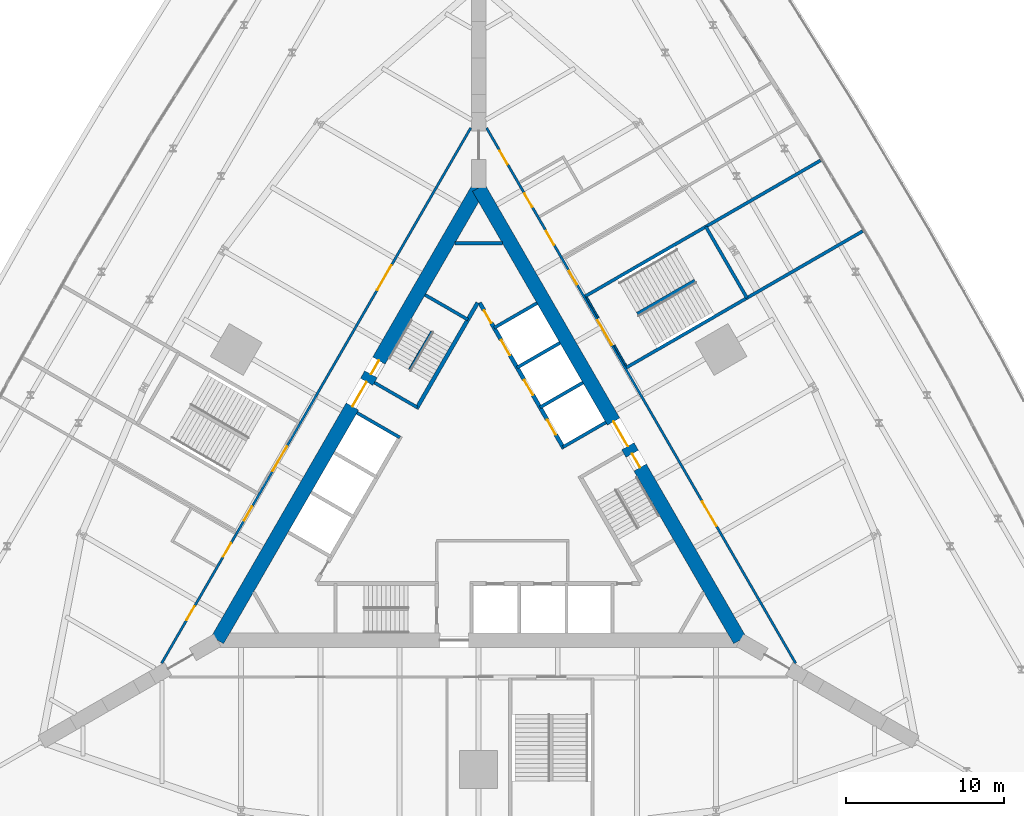
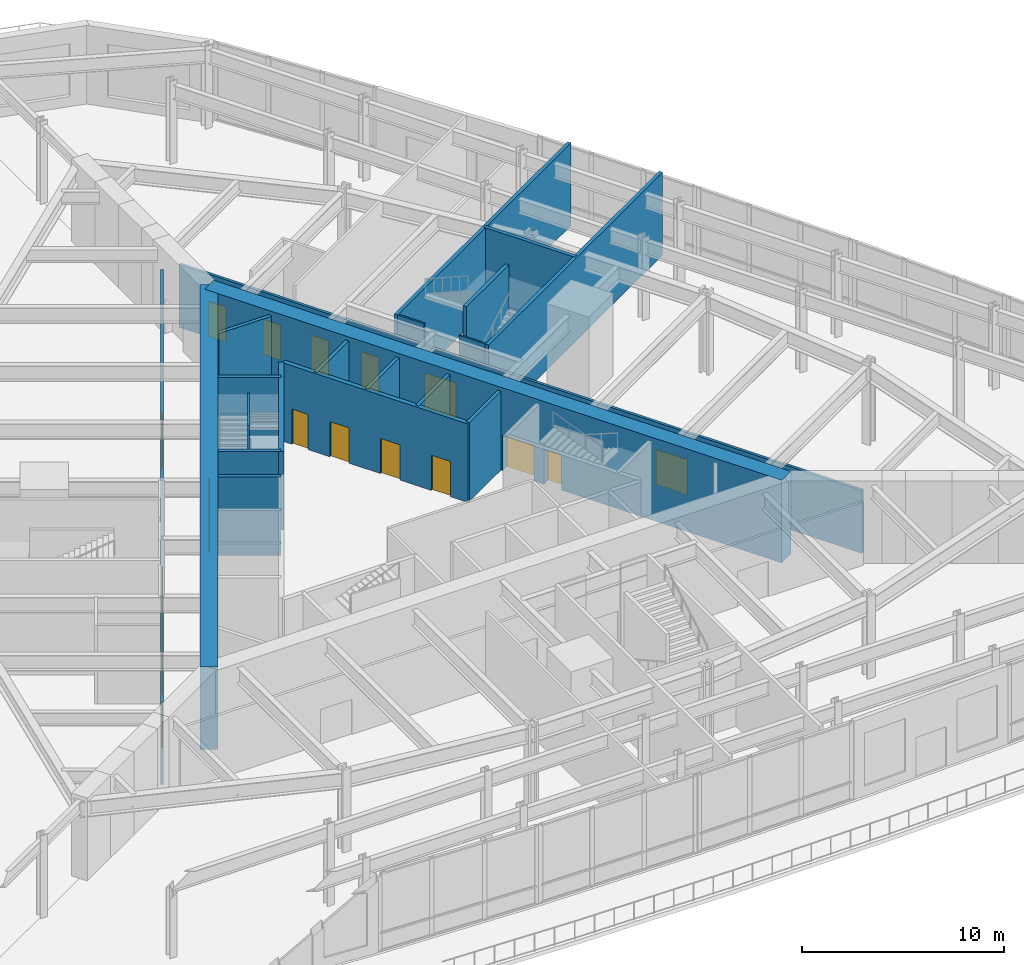
# One storey, part 14 of 20: 21 walls, 19 doors, 19 openings.
"""IFC4 building model written with IfcOpenShell, lengths in metres."""

from ifc_helpers import new_model, si_unit, direction, frame, frame_2d, origin, place, context, subcontext, project, spatial, rectangle, extrude, material, layer, layer_set, type_object, element, fill, save


model = new_model("IFC4")

# Units and contexts
model_context = context("Model", 3, precision=1e-05, world=origin(), true_north=direction((0.0, 1.0)))
body_context = subcontext(model_context, "Body", "Model", "MODEL_VIEW")
ifc_project = project(units=[si_unit("LENGTHUNIT", "METRE"), si_unit("AREAUNIT", "SQUARE_METRE"), si_unit("VOLUMEUNIT", "CUBIC_METRE"), si_unit("PLANEANGLEUNIT", "RADIAN"), si_unit("MASSUNIT", "GRAM", prefix="KILO")], contexts=[model_context])

# Site, building, storey
site_placement = place(None, origin())
site = spatial("IfcSite", under=ifc_project, at=site_placement, CompositionType="ELEMENT")
building_placement = place(site_placement, origin())
building = spatial("IfcBuilding", under=site, at=building_placement, Name="Trikona Tower", CompositionType="ELEMENT")
storey_placement = place(building_placement, frame((0.0, 0.0, 6.0)))
storey = spatial("IfcBuildingStorey", under=building, at=storey_placement, Name="L01", CompositionType="ELEMENT", Elevation=6.0)

# Wall, openings, doors
ifc_material_1 = material(Name="Concrete f'c 10000 psi", Category="concrete")
ifc_layer_1 = layer(ifc_material_1, 0.89990234375)
ifc_layer_set_1 = layer_set([ifc_layer_1], Name="Core wall 900")
wall_type_1 = type_object("IfcWallType", Name="Core wall 900", PredefinedType="SHEAR", material=ifc_layer_set_1)
wall_1_placement = place(storey_placement, frame((16.5, -9.5263671875, 0.0), z_axis=(0.0, 0.0, 1.0), x_axis=(-0.499999749417, 0.866025548458, 0.0)))
wall_1 = element("IfcWall", 1, at=wall_1_placement, inside=storey, type_object=wall_type_1, Name="Core wall B", PredefinedType="SHEAR", context=body_context, shape_type="SweptSolid", body=[
    extrude(rectangle(XDim=33.0, YDim=0.89990234375, at=frame_2d((16.5, 0.0))), origin(), (0.0, 0.0, 1.0), 5.0),
])
opening_1_placement = place(wall_1_placement, frame((14.14990234375, 0.0, 0.0)))
opening_1 = element("IfcOpeningElement", 2, at=opening_1_placement, cuts=wall_1, Name="Opening D6", PredefinedType="OPENING", context=body_context, shape_type="SweptSolid", body=[
    extrude(rectangle(XDim=1.800048828125, YDim=2.1298828125, at=frame_2d((0.89990234375, 1.06494140625))), frame((0.0, 0.4599609375, 0.0), z_axis=(0.0, -1.0, 0.0), x_axis=(1.0, 0.0, 0.0)), (0.0, 0.0, 1.0), 0.919921875),
])
opening_2_placement = place(wall_1_placement, frame((12.60009765625, 0.0, 0.0)))
opening_2 = element("IfcOpeningElement", 3, at=opening_2_placement, cuts=wall_1, Name="Opening D5", PredefinedType="OPENING", context=body_context, shape_type="SweptSolid", body=[
    extrude(rectangle(XDim=1.0, YDim=2.1298828125, at=frame_2d((0.5, 1.06494140625))), frame((0.0, 0.4599609375, 0.0), z_axis=(0.0, -1.0, 0.0), x_axis=(1.0, 0.0, 0.0)), (0.0, 0.0, 1.0), 0.919921875),
])
ifc_material_2 = material(Name="Hollow metal door and frame", Category="steel")
door_type_1 = type_object("IfcDoorType", Name="Lobby door pair 1800x2130", OperationType="DOUBLE_DOOR_SINGLE_SWING", PredefinedType="DOOR", material=ifc_material_2)
door_1_placement = place(opening_1_placement, origin())
door_1 = element("IfcDoor", 4, at=door_1_placement, inside=storey, type_object=door_type_1, Name="Lift lobby door B", OperationType="DOUBLE_DOOR_SINGLE_SWING", OverallHeight=2.1298828125, OverallWidth=1.800048828125, PredefinedType="DOOR", context=body_context, shape_type="SweptSolid", body=[
    extrude(rectangle(XDim=1.800048828125, YDim=2.1298828125, at=frame_2d((0.89990234375, 1.06494140625))), frame((0.0, 0.02490234375, 0.0), z_axis=(0.0, -1.0, 0.0), x_axis=(1.0, 0.0, 0.0)), (0.0, 0.0, 1.0), 0.050048828125),
])
fill(opening_1, door_1)
ifc_material_3 = material(Name="Hollow metal door and frame", Category="steel")
door_type_2 = type_object("IfcDoorType", Name="Stair door 1000x2130", OperationType="SINGLE_SWING_LEFT", PredefinedType="DOOR", material=ifc_material_3)
door_2_placement = place(opening_2_placement, origin())
door_2 = element("IfcDoor", 5, at=door_2_placement, inside=storey, type_object=door_type_2, Name="Stair B door", OperationType="SINGLE_SWING_RIGHT", OverallHeight=2.1298828125, OverallWidth=1.0, PredefinedType="DOOR", context=body_context, shape_type="SweptSolid", body=[
    extrude(rectangle(XDim=1.0, YDim=2.1298828125, at=frame_2d((0.5, 1.06494140625))), frame((0.0, 0.02490234375, 0.0), z_axis=(0.0, -1.0, 0.0), x_axis=(1.0, 0.0, 0.0)), (0.0, 0.0, 1.0), 0.050048828125),
])
fill(opening_2, door_2)

wall_2_placement = place(storey_placement, frame((0.0, 19.052490234375, 0.0), z_axis=(0.0, 0.0, 1.0), x_axis=(-0.499999749417, -0.866025548458, 0.0)))
wall_2 = element("IfcWall", 6, at=wall_2_placement, inside=storey, type_object=wall_type_1, Name="Core wall C", PredefinedType="SHEAR", context=body_context, shape_type="SweptSolid", body=[
    extrude(rectangle(XDim=33.0, YDim=0.89990234375, at=frame_2d((16.5, 0.0))), origin(), (0.0, 0.0, 1.0), 5.0),
])
opening_3_placement = place(wall_2_placement, frame((14.14990234375, 0.0, 0.0)))
opening_3 = element("IfcOpeningElement", 7, at=opening_3_placement, cuts=wall_2, Name="Opening D6", PredefinedType="OPENING", context=body_context, shape_type="SweptSolid", body=[
    extrude(rectangle(XDim=1.800048828125, YDim=2.1298828125, at=frame_2d((0.89990234375, 1.06494140625))), frame((0.0, 0.4599609375, 0.0), z_axis=(0.0, -1.0, 0.0), x_axis=(1.0, 0.0, 0.0)), (0.0, 0.0, 1.0), 0.919921875),
])
opening_4_placement = place(wall_2_placement, frame((12.60009765625, 0.0, 0.0)))
opening_4 = element("IfcOpeningElement", 8, at=opening_4_placement, cuts=wall_2, Name="Opening D5", PredefinedType="OPENING", context=body_context, shape_type="SweptSolid", body=[
    extrude(rectangle(XDim=1.0, YDim=2.1298828125, at=frame_2d((0.5, 1.06494140625))), frame((0.0, 0.4599609375, 0.0), z_axis=(0.0, -1.0, 0.0), x_axis=(1.0, 0.0, 0.0)), (0.0, 0.0, 1.0), 0.919921875),
])
door_3_placement = place(opening_3_placement, origin())
door_3 = element("IfcDoor", 9, at=door_3_placement, inside=storey, type_object=door_type_1, Name="Lift lobby door C", OperationType="DOUBLE_DOOR_SINGLE_SWING", OverallHeight=2.1298828125, OverallWidth=1.800048828125, PredefinedType="DOOR", context=body_context, shape_type="SweptSolid", body=[
    extrude(rectangle(XDim=1.800048828125, YDim=2.1298828125, at=frame_2d((0.89990234375, 1.06494140625))), frame((0.0, 0.02490234375, 0.0), z_axis=(0.0, -1.0, 0.0), x_axis=(1.0, 0.0, 0.0)), (0.0, 0.0, 1.0), 0.050048828125),
])
fill(opening_3, door_3)
door_4_placement = place(opening_4_placement, origin())
door_4 = element("IfcDoor", 10, at=door_4_placement, inside=storey, type_object=door_type_2, Name="Stair C door", OperationType="SINGLE_SWING_RIGHT", OverallHeight=2.1298828125, OverallWidth=1.0, PredefinedType="DOOR", context=body_context, shape_type="SweptSolid", body=[
    extrude(rectangle(XDim=1.0, YDim=2.1298828125, at=frame_2d((0.5, 1.06494140625))), frame((0.0, 0.02490234375, 0.0), z_axis=(0.0, -1.0, 0.0), x_axis=(1.0, 0.0, 0.0)), (0.0, 0.0, 1.0), 0.050048828125),
])
fill(opening_4, door_4)

ifc_material_4 = material(Name="Metal stud and gypsum board, 1-hour", Category="gypsum")
ifc_layer_2 = layer(ifc_material_4, 0.14990234375)
ifc_layer_set_2 = layer_set([ifc_layer_2], Name="Corridor wall 150")
wall_type_2 = type_object("IfcWallType", Name="Corridor wall 150", PredefinedType="PARTITIONING", material=ifc_layer_set_2)
wall_3_placement = place(storey_placement, frame((20.027099609375, -10.9853515625, 0.0), z_axis=(0.0, 0.0, 1.0), x_axis=(-0.500001677587, 0.866024435227, 0.0)))
wall_3 = element("IfcWall", 11, at=wall_3_placement, inside=storey, type_object=wall_type_2, Name="Corridor wall L01-2", PredefinedType="PARTITIONING", context=body_context, shape_type="SweptSolid", body=[
    extrude(rectangle(XDim=39.053955078125, YDim=0.14990234375, at=frame_2d((19.52685546875, 0.0))), origin(), (0.0, 0.0, 1.0), 3.8076171875),
])
opening_5_placement = place(wall_3_placement, frame((10.013427734375, 0.0, 0.0)))
opening_5 = element("IfcOpeningElement", 12, at=opening_5_placement, cuts=wall_3, Name="Opening D4", PredefinedType="OPENING", context=body_context, shape_type="SweptSolid", body=[
    extrude(rectangle(XDim=1.800048828125, YDim=2.1298828125, at=frame_2d((0.89990234375, 1.06494140625))), frame((0.0, 0.0849609375, 0.0), z_axis=(0.0, -1.0, 0.0), x_axis=(1.0, 0.0, 0.0)), (0.0, 0.0, 1.0), 0.169921875),
])
opening_6_placement = place(wall_3_placement, frame((23.22705078125, 0.0, 0.0)))
opening_6 = element("IfcOpeningElement", 13, at=opening_6_placement, cuts=wall_3, Name="Opening D11", PredefinedType="OPENING", context=body_context, shape_type="SweptSolid", body=[
    extrude(rectangle(XDim=1.800048828125, YDim=2.1298828125, at=frame_2d((0.89990234375, 1.06494140625))), frame((0.0, 0.0849609375, 0.0), z_axis=(0.0, -1.0, 0.0), x_axis=(1.0, 0.0, 0.0)), (0.0, 0.0, 1.0), 0.169921875),
])
opening_7_placement = place(wall_3_placement, frame((27.626953125, 0.0, 0.0)))
opening_7 = element("IfcOpeningElement", 14, at=opening_7_placement, cuts=wall_3, Name="Opening D3", PredefinedType="OPENING", context=body_context, shape_type="SweptSolid", body=[
    extrude(rectangle(XDim=1.0, YDim=2.1298828125, at=frame_2d((0.5, 1.06494140625))), frame((0.0, 0.0849609375, 0.0), z_axis=(0.0, -1.0, 0.0), x_axis=(1.0, 0.0, 0.0)), (0.0, 0.0, 1.0), 0.169921875),
])
opening_8_placement = place(wall_3_placement, frame((30.527099609375, 0.0, 0.0)))
opening_8 = element("IfcOpeningElement", 15, at=opening_8_placement, cuts=wall_3, Name="Opening D3", PredefinedType="OPENING", context=body_context, shape_type="SweptSolid", body=[
    extrude(rectangle(XDim=1.0, YDim=2.1298828125, at=frame_2d((0.5, 1.06494140625))), frame((0.0, 0.0849609375, 0.0), z_axis=(0.0, -1.0, 0.0), x_axis=(1.0, 0.0, 0.0)), (0.0, 0.0, 1.0), 0.169921875),
])
opening_9_placement = place(wall_3_placement, frame((33.277099609375, 0.0, 0.0)))
opening_9 = element("IfcOpeningElement", 16, at=opening_9_placement, cuts=wall_3, Name="Opening D3", PredefinedType="OPENING", context=body_context, shape_type="SweptSolid", body=[
    extrude(rectangle(XDim=1.0, YDim=2.1298828125, at=frame_2d((0.5, 1.06494140625))), frame((0.0, 0.0849609375, 0.0), z_axis=(0.0, -1.0, 0.0), x_axis=(1.0, 0.0, 0.0)), (0.0, 0.0, 1.0), 0.169921875),
])
opening_10_placement = place(wall_3_placement, frame((36.390380859375, 0.0, 0.0)))
opening_10 = element("IfcOpeningElement", 17, at=opening_10_placement, cuts=wall_3, Name="Opening D3", PredefinedType="OPENING", context=body_context, shape_type="SweptSolid", body=[
    extrude(rectangle(XDim=1.0, YDim=2.1298828125, at=frame_2d((0.5, 1.06494140625))), frame((0.0, 0.0849609375, 0.0), z_axis=(0.0, -1.0, 0.0), x_axis=(1.0, 0.0, 0.0)), (0.0, 0.0, 1.0), 0.169921875),
])
ifc_material_5 = material(Name="Steel door frame with solid-core timber leaf", Category="steel")
door_type_3 = type_object("IfcDoorType", Name="Assembly door pair 1800x2130", OperationType="DOUBLE_DOOR_SINGLE_SWING", PredefinedType="DOOR", material=ifc_material_5)
door_5_placement = place(opening_5_placement, origin())
door_5 = element("IfcDoor", 18, at=door_5_placement, inside=storey, type_object=door_type_3, Name="Door Restaurant kitchen", OperationType="DOUBLE_DOOR_SINGLE_SWING", OverallHeight=2.1298828125, OverallWidth=1.800048828125, PredefinedType="DOOR", context=body_context, shape_type="SweptSolid", body=[
    extrude(rectangle(XDim=1.800048828125, YDim=2.1298828125, at=frame_2d((0.89990234375, 1.06494140625))), frame((0.0, 0.02490234375, 0.0), z_axis=(0.0, -1.0, 0.0), x_axis=(1.0, 0.0, 0.0)), (0.0, 0.0, 1.0), 0.050048828125),
])
fill(opening_5, door_5)
ifc_material_6 = material(Name="Hollow metal door and frame", Category="steel")
door_type_4 = type_object("IfcDoorType", Name="Podium stair door 1800x2130", OperationType="DOUBLE_DOOR_SINGLE_SWING", PredefinedType="DOOR", material=ifc_material_6)
door_6_placement = place(opening_6_placement, origin())
door_6 = element("IfcDoor", 19, at=door_6_placement, inside=storey, type_object=door_type_4, Name="Stair door Podium stair PS2", OperationType="DOUBLE_DOOR_SINGLE_SWING", OverallHeight=2.1298828125, OverallWidth=1.800048828125, PredefinedType="DOOR", context=body_context, shape_type="SweptSolid", body=[
    extrude(rectangle(XDim=1.800048828125, YDim=2.1298828125, at=frame_2d((0.89990234375, 1.06494140625))), frame((0.0, 0.02490234375, 0.0), z_axis=(0.0, -1.0, 0.0), x_axis=(1.0, 0.0, 0.0)), (0.0, 0.0, 1.0), 0.050048828125),
])
fill(opening_6, door_6)
ifc_material_7 = material(Name="Steel door frame with solid-core timber leaf", Category="steel")
door_type_5 = type_object("IfcDoorType", Name="Room door 1000x2130", OperationType="SINGLE_SWING_LEFT", PredefinedType="DOOR", material=ifc_material_7)
door_7_placement = place(opening_7_placement, origin())
door_7 = element("IfcDoor", 20, at=door_7_placement, inside=storey, type_object=door_type_5, Name="Door Men's toilets", OperationType="SINGLE_SWING_LEFT", OverallHeight=2.1298828125, OverallWidth=1.0, PredefinedType="DOOR", context=body_context, shape_type="SweptSolid", body=[
    extrude(rectangle(XDim=1.0, YDim=2.1298828125, at=frame_2d((0.5, 1.06494140625))), frame((0.0, 0.02490234375, 0.0), z_axis=(0.0, -1.0, 0.0), x_axis=(1.0, 0.0, 0.0)), (0.0, 0.0, 1.0), 0.050048828125),
])
fill(opening_7, door_7)
door_8_placement = place(opening_8_placement, origin())
door_8 = element("IfcDoor", 21, at=door_8_placement, inside=storey, type_object=door_type_5, Name="Door Women's toilets", OperationType="SINGLE_SWING_RIGHT", OverallHeight=2.1298828125, OverallWidth=1.0, PredefinedType="DOOR", context=body_context, shape_type="SweptSolid", body=[
    extrude(rectangle(XDim=1.0, YDim=2.1298828125, at=frame_2d((0.5, 1.06494140625))), frame((0.0, 0.02490234375, 0.0), z_axis=(0.0, -1.0, 0.0), x_axis=(1.0, 0.0, 0.0)), (0.0, 0.0, 1.0), 0.050048828125),
])
fill(opening_8, door_8)
door_9_placement = place(opening_9_placement, origin())
door_9 = element("IfcDoor", 22, at=door_9_placement, inside=storey, type_object=door_type_5, Name="Door Accessible WC", OperationType="SINGLE_SWING_LEFT", OverallHeight=2.1298828125, OverallWidth=1.0, PredefinedType="DOOR", context=body_context, shape_type="SweptSolid", body=[
    extrude(rectangle(XDim=1.0, YDim=2.1298828125, at=frame_2d((0.5, 1.06494140625))), frame((0.0, 0.02490234375, 0.0), z_axis=(0.0, -1.0, 0.0), x_axis=(1.0, 0.0, 0.0)), (0.0, 0.0, 1.0), 0.050048828125),
])
fill(opening_9, door_9)
door_10_placement = place(opening_10_placement, origin())
door_10 = element("IfcDoor", 23, at=door_10_placement, inside=storey, type_object=door_type_5, Name="Door Private dining room", OperationType="SINGLE_SWING_RIGHT", OverallHeight=2.1298828125, OverallWidth=1.0, PredefinedType="DOOR", context=body_context, shape_type="SweptSolid", body=[
    extrude(rectangle(XDim=1.0, YDim=2.1298828125, at=frame_2d((0.5, 1.06494140625))), frame((0.0, 0.02490234375, 0.0), z_axis=(0.0, -1.0, 0.0), x_axis=(1.0, 0.0, 0.0)), (0.0, 0.0, 1.0), 0.050048828125),
])
fill(opening_10, door_10)

wall_4_placement = place(storey_placement, frame((-0.5, 22.83642578125, 0.0), z_axis=(0.0, 0.0, 1.0), x_axis=(-0.500001677587, -0.866024435227, 0.0)))
wall_4 = element("IfcWall", 24, at=wall_4_placement, inside=storey, type_object=wall_type_2, Name="Corridor wall L01-3", PredefinedType="PARTITIONING", context=body_context, shape_type="SweptSolid", body=[
    extrude(rectangle(XDim=39.053955078125, YDim=0.14990234375, at=frame_2d((19.52685546875, 0.0))), origin(), (0.0, 0.0, 1.0), 3.8076171875),
])
opening_11_placement = place(wall_4_placement, frame((10.013427734375, 0.0, 0.0)))
opening_11 = element("IfcOpeningElement", 25, at=opening_11_placement, cuts=wall_4, Name="Opening D4", PredefinedType="OPENING", context=body_context, shape_type="SweptSolid", body=[
    extrude(rectangle(XDim=1.800048828125, YDim=2.1298828125, at=frame_2d((0.89990234375, 1.06494140625))), frame((0.0, 0.0849609375, 0.0), z_axis=(0.0, -1.0, 0.0), x_axis=(1.0, 0.0, 0.0)), (0.0, 0.0, 1.0), 0.169921875),
])
opening_12_placement = place(wall_4_placement, frame((23.22705078125, 0.0, 0.0)))
opening_12 = element("IfcOpeningElement", 26, at=opening_12_placement, cuts=wall_4, Name="Opening D11", PredefinedType="OPENING", context=body_context, shape_type="SweptSolid", body=[
    extrude(rectangle(XDim=1.800048828125, YDim=2.1298828125, at=frame_2d((0.89990234375, 1.06494140625))), frame((0.0, 0.0849609375, 0.0), z_axis=(0.0, -1.0, 0.0), x_axis=(1.0, 0.0, 0.0)), (0.0, 0.0, 1.0), 0.169921875),
])
opening_13_placement = place(wall_4_placement, frame((27.626953125, 0.0, 0.0)))
opening_13 = element("IfcOpeningElement", 27, at=opening_13_placement, cuts=wall_4, Name="Opening D3", PredefinedType="OPENING", context=body_context, shape_type="SweptSolid", body=[
    extrude(rectangle(XDim=1.0, YDim=2.1298828125, at=frame_2d((0.5, 1.06494140625))), frame((0.0, 0.0849609375, 0.0), z_axis=(0.0, -1.0, 0.0), x_axis=(1.0, 0.0, 0.0)), (0.0, 0.0, 1.0), 0.169921875),
])
opening_14_placement = place(wall_4_placement, frame((30.277099609375, 0.0, 0.0)))
opening_14 = element("IfcOpeningElement", 28, at=opening_14_placement, cuts=wall_4, Name="Opening D3", PredefinedType="OPENING", context=body_context, shape_type="SweptSolid", body=[
    extrude(rectangle(XDim=1.0, YDim=2.1298828125, at=frame_2d((0.5, 1.06494140625))), frame((0.0, 0.0849609375, 0.0), z_axis=(0.0, -1.0, 0.0), x_axis=(1.0, 0.0, 0.0)), (0.0, 0.0, 1.0), 0.169921875),
])
opening_15_placement = place(wall_4_placement, frame((34.890380859375, 0.0, 0.0)))
opening_15 = element("IfcOpeningElement", 29, at=opening_15_placement, cuts=wall_4, Name="Opening D3", PredefinedType="OPENING", context=body_context, shape_type="SweptSolid", body=[
    extrude(rectangle(XDim=1.0, YDim=2.1298828125, at=frame_2d((0.5, 1.06494140625))), frame((0.0, 0.0849609375, 0.0), z_axis=(0.0, -1.0, 0.0), x_axis=(1.0, 0.0, 0.0)), (0.0, 0.0, 1.0), 0.169921875),
])
door_11_placement = place(opening_11_placement, origin())
door_11 = element("IfcDoor", 30, at=door_11_placement, inside=storey, type_object=door_type_3, Name="Door Back of house", OperationType="DOUBLE_DOOR_SINGLE_SWING", OverallHeight=2.1298828125, OverallWidth=1.800048828125, PredefinedType="DOOR", context=body_context, shape_type="SweptSolid", body=[
    extrude(rectangle(XDim=1.800048828125, YDim=2.1298828125, at=frame_2d((0.89990234375, 1.06494140625))), frame((0.0, 0.02490234375, 0.0), z_axis=(0.0, -1.0, 0.0), x_axis=(1.0, 0.0, 0.0)), (0.0, 0.0, 1.0), 0.050048828125),
])
fill(opening_11, door_11)
door_12_placement = place(opening_12_placement, origin())
door_12 = element("IfcDoor", 31, at=door_12_placement, inside=storey, type_object=door_type_4, Name="Stair door Podium stair PS3", OperationType="DOUBLE_DOOR_SINGLE_SWING", OverallHeight=2.1298828125, OverallWidth=1.800048828125, PredefinedType="DOOR", context=body_context, shape_type="SweptSolid", body=[
    extrude(rectangle(XDim=1.800048828125, YDim=2.1298828125, at=frame_2d((0.89990234375, 1.06494140625))), frame((0.0, 0.02490234375, 0.0), z_axis=(0.0, -1.0, 0.0), x_axis=(1.0, 0.0, 0.0)), (0.0, 0.0, 1.0), 0.050048828125),
])
fill(opening_12, door_12)
door_13_placement = place(opening_13_placement, origin())
door_13 = element("IfcDoor", 32, at=door_13_placement, inside=storey, type_object=door_type_5, Name="Door Staff toilets", OperationType="SINGLE_SWING_LEFT", OverallHeight=2.1298828125, OverallWidth=1.0, PredefinedType="DOOR", context=body_context, shape_type="SweptSolid", body=[
    extrude(rectangle(XDim=1.0, YDim=2.1298828125, at=frame_2d((0.5, 1.06494140625))), frame((0.0, 0.02490234375, 0.0), z_axis=(0.0, -1.0, 0.0), x_axis=(1.0, 0.0, 0.0)), (0.0, 0.0, 1.0), 0.050048828125),
])
fill(opening_13, door_13)
door_14_placement = place(opening_14_placement, origin())
door_14 = element("IfcDoor", 33, at=door_14_placement, inside=storey, type_object=door_type_5, Name="Door Staff accessible WC", OperationType="SINGLE_SWING_RIGHT", OverallHeight=2.1298828125, OverallWidth=1.0, PredefinedType="DOOR", context=body_context, shape_type="SweptSolid", body=[
    extrude(rectangle(XDim=1.0, YDim=2.1298828125, at=frame_2d((0.5, 1.06494140625))), frame((0.0, 0.02490234375, 0.0), z_axis=(0.0, -1.0, 0.0), x_axis=(1.0, 0.0, 0.0)), (0.0, 0.0, 1.0), 0.050048828125),
])
fill(opening_14, door_14)
door_15_placement = place(opening_15_placement, origin())
door_15 = element("IfcDoor", 34, at=door_15_placement, inside=storey, type_object=door_type_5, Name="Door Linen store", OperationType="SINGLE_SWING_RIGHT", OverallHeight=2.1298828125, OverallWidth=1.0, PredefinedType="DOOR", context=body_context, shape_type="SweptSolid", body=[
    extrude(rectangle(XDim=1.0, YDim=2.1298828125, at=frame_2d((0.5, 1.06494140625))), frame((0.0, 0.02490234375, 0.0), z_axis=(0.0, -1.0, 0.0), x_axis=(1.0, 0.0, 0.0)), (0.0, 0.0, 1.0), 0.050048828125),
])
fill(opening_15, door_15)

ifc_material_8 = material(Name="Concrete f'c 8000 psi", Category="concrete")
ifc_layer_3 = layer(ifc_material_8, 0.25)
ifc_layer_set_3 = layer_set([ifc_layer_3], Name="Hub wall 250")
wall_type_3 = type_object("IfcWallType", Name="Hub wall 250", PredefinedType="SOLIDWALL", material=ifc_layer_set_3)
wall_5_placement = place(storey_placement, frame((5.37890625, 2.5859375, 0.0), z_axis=(0.0, 0.0, 1.0), x_axis=(-0.500001375892, 0.866024609411, 0.0)))
wall_5 = element("IfcWall", 35, at=wall_5_placement, inside=storey, type_object=wall_type_3, Name="Lift lobby wall B2", PredefinedType="SOLIDWALL", context=body_context, shape_type="SweptSolid", body=[
    extrude(rectangle(XDim=10.6328125, YDim=0.25, at=frame_2d((5.31640625, 0.0))), origin(), (0.0, 0.0, 1.0), 4.75),
])
opening_16_placement = place(wall_5_placement, frame((9.1640625, 0.0, 0.0)))
opening_16 = element("IfcOpeningElement", 36, at=opening_16_placement, cuts=wall_5, Name="Opening D14", PredefinedType="OPENING", context=body_context, shape_type="SweptSolid", body=[
    extrude(rectangle(XDim=0.89990234375, YDim=2.1298828125, at=frame_2d((0.449951171875, 1.06494140625))), frame((0.0, 0.135009765625, 0.0), z_axis=(0.0, -1.0, 0.0), x_axis=(1.0, 0.0, 0.0)), (0.0, 0.0, 1.0), 0.27001953125),
])
opening_17_placement = place(wall_5_placement, frame((1.0, 0.0, 0.0)))
opening_17 = element("IfcOpeningElement", 37, at=opening_17_placement, cuts=wall_5, Name="Opening LD", PredefinedType="OPENING", context=body_context, shape_type="SweptSolid", body=[
    extrude(rectangle(XDim=1.10009765625, YDim=2.1298828125, at=frame_2d((0.550048828125, 1.06494140625))), frame((0.0, 0.135009765625, 0.0), z_axis=(0.0, -1.0, 0.0), x_axis=(1.0, 0.0, 0.0)), (0.0, 0.0, 1.0), 0.27001953125),
])
opening_18_placement = place(wall_5_placement, frame((3.89990234375, 0.0, 0.0)))
opening_18 = element("IfcOpeningElement", 38, at=opening_18_placement, cuts=wall_5, Name="Opening LD", PredefinedType="OPENING", context=body_context, shape_type="SweptSolid", body=[
    extrude(rectangle(XDim=1.10009765625, YDim=2.1298828125, at=frame_2d((0.550048828125, 1.06494140625))), frame((0.0, 0.135009765625, 0.0), z_axis=(0.0, -1.0, 0.0), x_axis=(1.0, 0.0, 0.0)), (0.0, 0.0, 1.0), 0.27001953125),
])
opening_19_placement = place(wall_5_placement, frame((6.800048828125, 0.0, 0.0)))
opening_19 = element("IfcOpeningElement", 39, at=opening_19_placement, cuts=wall_5, Name="Opening LD", PredefinedType="OPENING", context=body_context, shape_type="SweptSolid", body=[
    extrude(rectangle(XDim=1.10009765625, YDim=2.1298828125, at=frame_2d((0.550048828125, 1.06494140625))), frame((0.0, 0.135009765625, 0.0), z_axis=(0.0, -1.0, 0.0), x_axis=(1.0, 0.0, 0.0)), (0.0, 0.0, 1.0), 0.27001953125),
])
ifc_material_9 = material(Name="Stainless steel lift landing door", Category="steel")
door_type_6 = type_object("IfcDoorType", Name="Lift landing door 1100x2130", OperationType="DOUBLE_DOOR_SLIDING", PredefinedType="USERDEFINED", material=ifc_material_9)
door_16_placement = place(opening_17_placement, origin())
door_16 = element("IfcDoor", 40, at=door_16_placement, inside=storey, type_object=door_type_6, Name="Lift landing door L1-1", ObjectType="LIFT LANDING DOOR", OperationType="DOUBLE_DOOR_SLIDING", OverallHeight=2.1298828125, OverallWidth=1.10009765625, PredefinedType="USERDEFINED", context=body_context, shape_type="SweptSolid", body=[
    extrude(rectangle(XDim=1.10009765625, YDim=2.1298828125, at=frame_2d((0.550048828125, 1.06494140625))), frame((0.0, 0.02490234375, 0.0), z_axis=(0.0, -1.0, 0.0), x_axis=(1.0, 0.0, 0.0)), (0.0, 0.0, 1.0), 0.050048828125),
])
fill(opening_17, door_16)
door_17_placement = place(opening_18_placement, origin())
door_17 = element("IfcDoor", 41, at=door_17_placement, inside=storey, type_object=door_type_6, Name="Lift landing door L1-2", ObjectType="LIFT LANDING DOOR", OperationType="DOUBLE_DOOR_SLIDING", OverallHeight=2.1298828125, OverallWidth=1.10009765625, PredefinedType="USERDEFINED", context=body_context, shape_type="SweptSolid", body=[
    extrude(rectangle(XDim=1.10009765625, YDim=2.1298828125, at=frame_2d((0.550048828125, 1.06494140625))), frame((0.0, 0.02490234375, 0.0), z_axis=(0.0, -1.0, 0.0), x_axis=(1.0, 0.0, 0.0)), (0.0, 0.0, 1.0), 0.050048828125),
])
fill(opening_18, door_17)
door_18_placement = place(opening_19_placement, origin())
door_18 = element("IfcDoor", 42, at=door_18_placement, inside=storey, type_object=door_type_6, Name="Lift landing door L1-3", ObjectType="LIFT LANDING DOOR", OperationType="DOUBLE_DOOR_SLIDING", OverallHeight=2.1298828125, OverallWidth=1.10009765625, PredefinedType="USERDEFINED", context=body_context, shape_type="SweptSolid", body=[
    extrude(rectangle(XDim=1.10009765625, YDim=2.1298828125, at=frame_2d((0.550048828125, 1.06494140625))), frame((0.0, 0.02490234375, 0.0), z_axis=(0.0, -1.0, 0.0), x_axis=(1.0, 0.0, 0.0)), (0.0, 0.0, 1.0), 0.050048828125),
])
fill(opening_19, door_18)
ifc_material_10 = material(Name="Hollow metal door and frame", Category="steel")
door_type_7 = type_object("IfcDoorType", Name="Service room door 900x2130", OperationType="SINGLE_SWING_LEFT", PredefinedType="DOOR", material=ifc_material_10)
door_19_placement = place(opening_16_placement, origin())
door_19 = element("IfcDoor", 43, at=door_19_placement, inside=storey, type_object=door_type_7, Name="Door Store STR", OperationType="SINGLE_SWING_RIGHT", OverallHeight=2.1298828125, OverallWidth=0.89990234375, PredefinedType="DOOR", context=body_context, shape_type="SweptSolid", body=[
    extrude(rectangle(XDim=0.89990234375, YDim=2.1298828125, at=frame_2d((0.449951171875, 1.06494140625))), frame((0.0, 0.02490234375, 0.0), z_axis=(0.0, -1.0, 0.0), x_axis=(1.0, 0.0, 0.0)), (0.0, 0.0, 1.0), 0.050048828125),
])
fill(opening_16, door_19)

# Walls
wall_6_placement = place(storey_placement, frame((-0.0625, 11.794189453125, 0.0), z_axis=(0.0, 0.0, 1.0), x_axis=(-0.500006680225, -0.86602154692, 0.0)))
element("IfcWall", 44, at=wall_6_placement, inside=storey, type_object=wall_type_3, Name="Lift lobby wall C1", PredefinedType="SOLIDWALL", context=body_context, shape_type="SweptSolid", body=[
    extrude(rectangle(XDim=7.73291015625, YDim=0.25, at=frame_2d((3.866455078125, 0.0))), origin(), (0.0, 0.0, 1.0), 4.75),
])
ifc_material_11 = material(Name="Concrete f'c 8000 psi", Category="concrete")
ifc_layer_4 = layer(ifc_material_11, 0.199951171875)
ifc_layer_set_4 = layer_set([ifc_layer_4], Name="Shaft wall 200")
wall_type_4 = type_object("IfcWallType", Name="Shaft wall 200", PredefinedType="SOLIDWALL", material=ifc_layer_set_4)
for number, where, z_axis, x_axis, name in (
    (45, (5.3291015625, 2.672607421875, 0.0), (0.0, 0.0, 1.0), (0.866022959057, 0.500004234368, 0.0), "Shaft wall B3"),
    (46, (3.87890625, 5.18408203125, 0.0), (0.0, 0.0, 1.0), (0.866022959057, 0.500004234368, 0.0), "Shaft wall B4"),
    (47, (2.428955078125, 7.695556640625, 0.0), (0.0, 0.0, 1.0), (0.866022959057, 0.500004234368, 0.0), "Shaft wall B5"),
    (48, (0.97900390625, 10.20703125, 0.0), (0.0, 0.0, 1.0), (0.866022959057, 0.500004234368, 0.0), "Shaft wall B6"),
    (49, (-4.97900390625, 3.27880859375, 0.0), (0.0, 0.0, 1.0), (-0.866022959057, 0.500004234368, 0.0), "Shaft wall C3"),
):
    element("IfcWall", number, at=place(storey_placement, frame(where, z_axis=z_axis, x_axis=x_axis)), inside=storey, type_object=wall_type_4, Name=name, PredefinedType="SOLIDWALL", context=body_context, shape_type="SweptSolid", body=[
        extrude(rectangle(XDim=3.125, YDim=0.199951171875, at=frame_2d((1.5625, 0.0))), origin(), (0.0, 0.0, 1.0), 4.75),
    ])
wall_7_placement = place(storey_placement, frame((-1.501220703125, 15.552490234375, 0.0), z_axis=(0.0, 0.0, 1.0), x_axis=(1.0, 0.0, 0.0)))
element("IfcWall", 50, at=wall_7_placement, inside=storey, type_object=wall_type_4, Name="Riser wall L01-RS2", PredefinedType="SOLIDWALL", context=body_context, shape_type="SweptSolid", body=[
    extrude(rectangle(XDim=3.00244140625, YDim=0.199951171875, at=frame_2d((1.501220703125, 0.0))), origin(), (0.0, 0.0, 1.0), 4.75),
])
ifc_material_12 = material(Name="Concrete f'c 8000 psi", Category="concrete")
ifc_layer_5 = layer(ifc_material_12, 0.199951171875)
ifc_layer_set_5 = layer_set([ifc_layer_5], Name="Shaft wall 200 load-bearing")
wall_type_5 = type_object("IfcWallType", Name="Shaft wall 200 load-bearing", PredefinedType="SOLIDWALL", material=ifc_layer_set_5)
for number, where, z_axis, x_axis, name in (
    (51, (-0.678955078125, 10.7265625, 0.0), (0.0, 0.0, 1.0), (-0.866022959057, 0.500004234368, 0.0), "Shaft wall C1"),
    (52, (-3.87890625, 5.18408203125, 0.0), (0.0, 0.0, 1.0), (-0.866022959057, 0.500004234368, 0.0), "Shaft wall C2"),
):
    element("IfcWall", number, at=place(storey_placement, frame(where, z_axis=z_axis, x_axis=x_axis)), inside=storey, type_object=wall_type_5, Name=name, PredefinedType="SOLIDWALL", context=body_context, shape_type="SweptSolid", body=[
        extrude(rectangle(XDim=3.125, YDim=0.199951171875, at=frame_2d((1.5625, 0.0))), origin(), (0.0, 0.0, 1.0), 4.75),
    ])
ifc_material_13 = material(Name="Concrete f'c 6000 psi", Category="concrete")
ifc_layer_6 = layer(ifc_material_13, 0.10009765625)
ifc_layer_set_6 = layer_set([ifc_layer_6], Name="Stair enclosure wall 100")
wall_type_6 = type_object("IfcWallType", Name="Stair enclosure wall 100", PredefinedType="SOLIDWALL", material=ifc_layer_set_6)
wall_8_placement = place(storey_placement, frame((9.32177734375, 7.806884765625, 0.0), z_axis=(0.0, 0.0, 1.0), x_axis=(-0.500060622324, 0.86599040064, 0.0)))
element("IfcWall", 53, at=wall_8_placement, inside=storey, type_object=wall_type_6, Name="Podium stair PS2 end pier 1 L01", PredefinedType="SOLIDWALL", context=body_context, shape_type="SweptSolid", body=[
    extrude(rectangle(XDim=1.499755859375, YDim=0.10009765625, at=frame_2d((0.75, 0.0))), origin(), (0.0, 0.0, 1.0), 5.0),
])
wall_9_placement = place(storey_placement, frame((7.57177734375, 10.837890625, 0.0), z_axis=(0.0, 0.0, 1.0), x_axis=(-0.499990139034, 0.866031096941, 0.0)))
element("IfcWall", 54, at=wall_9_placement, inside=storey, type_object=wall_type_6, Name="Podium stair PS2 end pier 2 L01", PredefinedType="SOLIDWALL", context=body_context, shape_type="SweptSolid", body=[
    extrude(rectangle(XDim=1.5, YDim=0.10009765625, at=frame_2d((0.75, 0.0))), origin(), (0.0, 0.0, 1.0), 5.0),
])
ifc_material_14 = material(Name="Concrete f'c 6000 psi", Category="concrete")
ifc_layer_7 = layer(ifc_material_14, 0.199951171875)
ifc_layer_set_7 = layer_set([ifc_layer_7], Name="Stair enclosure wall 200")
wall_type_7 = type_object("IfcWallType", Name="Stair enclosure wall 200", PredefinedType="SHEAR", material=ifc_layer_set_7)
wall_10_placement = place(storey_placement, frame((9.32861328125, 7.6953125, 0.0), z_axis=(0.0, 0.0, 1.0), x_axis=(0.866030143687, 0.499991790157, 0.0)))
element("IfcWall", 55, at=wall_10_placement, inside=storey, type_object=wall_type_7, Name="Stair enclosure L01 F2 u2", PredefinedType="SHEAR", context=body_context, shape_type="SweptSolid", body=[
    extrude(rectangle(XDim=17.236083984375, YDim=0.199951171875, at=frame_2d((8.6181640625, 0.0))), origin(), (0.0, 0.0, 1.0), 5.0),
])
wall_11_placement = place(storey_placement, frame((6.728515625, 12.198486328125, 0.0), z_axis=(0.0, 0.0, 1.0), x_axis=(0.866023831254, 0.500002723692, 0.0)))
element("IfcWall", 56, at=wall_11_placement, inside=storey, type_object=wall_type_7, Name="Stair enclosure L01 F2 u7.2", PredefinedType="SHEAR", context=body_context, shape_type="SweptSolid", body=[
    extrude(rectangle(XDim=17.1669921875, YDim=0.199951171875, at=frame_2d((8.58349609375, 0.0))), origin(), (0.0, 0.0, 1.0), 5.0),
])
wall_12_placement = place(storey_placement, frame((16.949462890625, 12.09521484375, 0.0), z_axis=(0.0, 0.0, 1.0), x_axis=(-0.499992051641, 0.866029992723, 0.0)))
element("IfcWall", 57, at=wall_12_placement, inside=storey, type_object=wall_type_7, Name="Podium stair PS2 end wall", PredefinedType="SHEAR", context=body_context, shape_type="SweptSolid", body=[
    extrude(rectangle(XDim=5.19970703125, YDim=0.199951171875, at=frame_2d((2.599853515625, 0.0))), origin(), (0.0, 0.0, 1.0), 5.0),
])
ifc_material_15 = material(Name="Concrete f'c 5000 psi", Category="concrete")
ifc_layer_8 = layer(ifc_material_15, 0.10009765625)
ifc_layer_set_8 = layer_set([ifc_layer_8], Name="Stair spine wall 100")
wall_type_8 = type_object("IfcWallType", Name="Stair spine wall 100", PredefinedType="SOLIDWALL", material=ifc_layer_set_8)
wall_13_placement = place(storey_placement, frame((-2.98779296875, 9.9775390625, 0.0), z_axis=(0.0, 0.0, 1.0), x_axis=(-0.499992232847, -0.866029888106, 0.0)))
element("IfcWall", 58, at=wall_13_placement, inside=storey, type_object=wall_type_8, Name="Stair C spine wall L01", PredefinedType="SOLIDWALL", context=body_context, shape_type="SweptSolid", body=[
    extrude(rectangle(XDim=2.7939453125, YDim=0.10009765625, at=frame_2d((1.39697265625, 0.0))), origin(), (0.0, 0.0, 1.0), 5.0),
])
ifc_material_16 = material(Name="Concrete f'c 5000 psi", Category="concrete")
ifc_layer_9 = layer(ifc_material_16, 0.2001953125)
ifc_layer_set_9 = layer_set([ifc_layer_9], Name="Stair spine wall 200")
wall_type_9 = type_object("IfcWallType", Name="Stair spine wall 200", PredefinedType="SOLIDWALL", material=ifc_layer_set_9)
wall_14_placement = place(storey_placement, frame((10.02294921875, 11.098388671875, 0.0), z_axis=(0.0, 0.0, 1.0), x_axis=(0.866031452229, 0.49998952364, 0.0)))
element("IfcWall", 59, at=wall_14_placement, inside=storey, type_object=wall_type_9, Name="Podium stair PS2 spine wall L01", PredefinedType="SOLIDWALL", context=body_context, shape_type="SweptSolid", body=[
    extrude(rectangle(XDim=4.19384765625, YDim=0.199951171875, at=frame_2d((2.096923828125, 0.0))), origin(), (0.0, 0.0, 1.0), 5.0),
])

save(model, "model.ifc")
